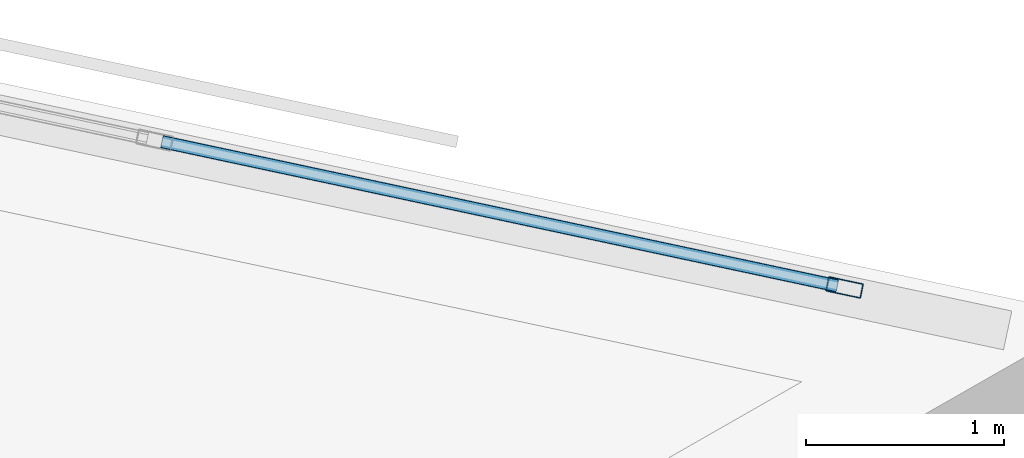
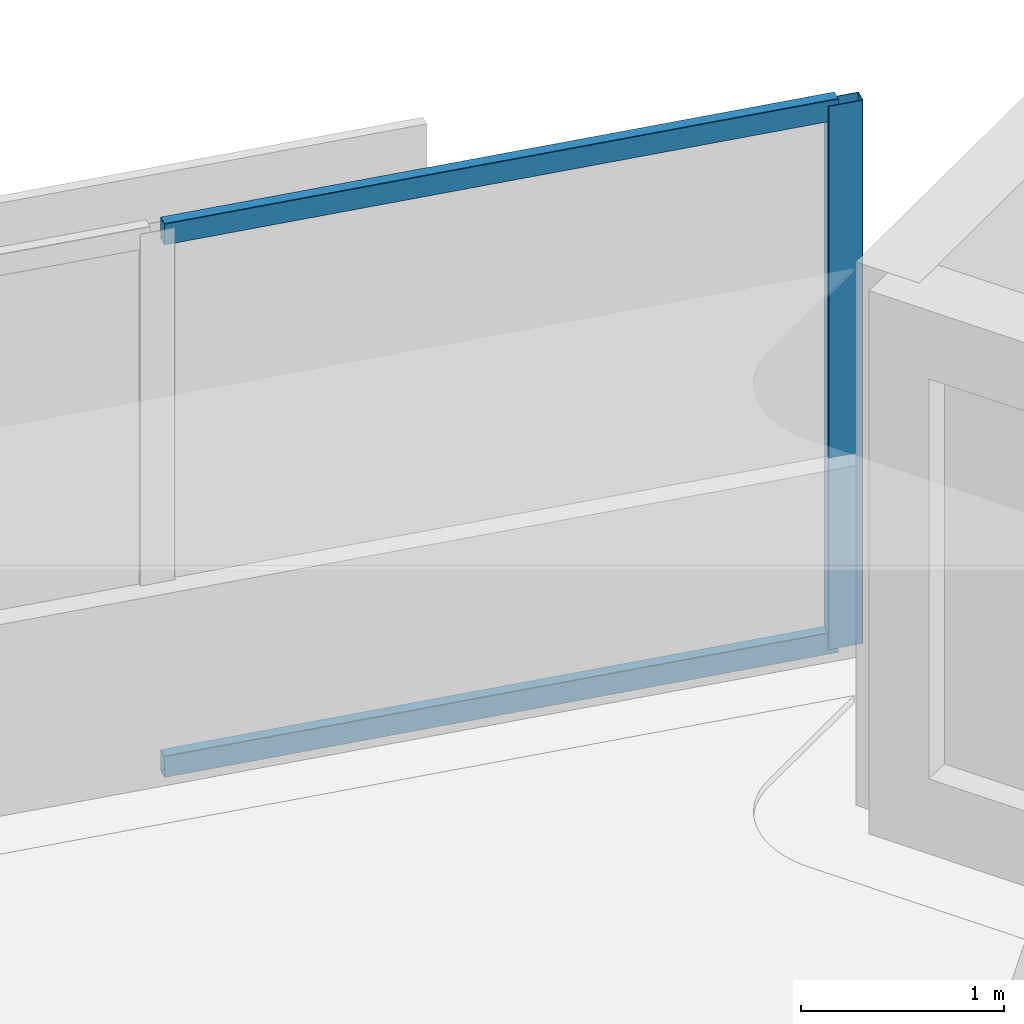
# One storey, part 6 of 14: 3 members, 1 element without a shape of its own.
"""IFC4 building model written with IfcOpenShell, lengths in metres."""

from ifc_helpers import new_model, si_unit, direction, frame, origin, origin_2d, place, context, subcontext, project, spatial, hollow_rectangle, extrude, material, material_profile, profile_set, type_object, element, aggregate, save


model = new_model("IFC4")

# Units and contexts
model_context = context("Model", 3, precision=1e-05, world=origin(), true_north=direction((0.0, 1.0)))
body_context = subcontext(model_context, "Body", "Model", "MODEL_VIEW")
ifc_project = project(units=[si_unit("LENGTHUNIT", "METRE"), si_unit("AREAUNIT", "SQUARE_METRE"), si_unit("VOLUMEUNIT", "CUBIC_METRE"), si_unit("PLANEANGLEUNIT", "RADIAN"), si_unit("MASSUNIT", "GRAM", prefix="KILO")], contexts=[model_context])

# Site, building, storey
site_placement = place(None, origin())
site = spatial("IfcSite", under=ifc_project, at=site_placement, CompositionType="ELEMENT")
building_placement = place(site_placement, origin())
building = spatial("IfcBuilding", under=site, at=building_placement, Name="Narakoshi Arena Tower", CompositionType="ELEMENT")
storey_placement = place(building_placement, frame((0.0, 0.0, 204.419921875)))
storey = spatial("IfcBuildingStorey", under=building, at=storey_placement, Name="L55", CompositionType="ELEMENT", Elevation=204.419921875)

# Curtain wall, members
ifc_material = material(Name="Anodised bronze aluminium 6063-T6", Category="aluminium")
curtain_wall_type = type_object("IfcCurtainWallType", Name="CW-HYP-MID", PredefinedType="NOTDEFINED", material=ifc_material)
curtain_wall_placement = place(storey_placement, origin())
curtain_wall = element("IfcCurtainWall", 1, at=curtain_wall_placement, inside=storey, type_object=curtain_wall_type, Name="L55 Folded Hypotenuse Curtain Wall 1-1", PredefinedType="NOTDEFINED")
ifc_material_profile_1 = material_profile(ifc_material, hollow_rectangle(XDim=0.074951171875, YDim=0.179931640625, WallThickness=0.00390625, OuterFilletRadius=0.0048828125, at=origin_2d()), Name="MUL180x75x4")
ifc_profile_set_1 = profile_set([ifc_material_profile_1], Name="Anodised bronze aluminium 6063-T6")
member_type_1 = type_object("IfcMemberType", Name="MEM-MUL-180", PredefinedType="MULLION", material=ifc_profile_set_1)
member_1_placement = place(storey_placement, frame((115.57373046875, 56.938232421875, 0.0), z_axis=(0.0, 0.0, 1.0), x_axis=(-0.208899163248, -0.977937185914, 0.0)))
member_1 = element("IfcMember", 2, at=member_1_placement, type_object=member_type_1, Name="CW-02 mullion 1", PredefinedType="MULLION", context=body_context, shape_type="SweptSolid", body=[
    extrude(hollow_rectangle(XDim=0.074951171875, YDim=0.179931640625, WallThickness=0.00390625, OuterFilletRadius=0.0048828125, at=origin_2d()), origin(), (0.0, 0.0, 1.0), 3.260009765625),
])
ifc_material_profile_2 = material_profile(ifc_material, hollow_rectangle(XDim=0.06494140625, YDim=0.1298828125, WallThickness=0.00390625, OuterFilletRadius=0.0048828125, at=origin_2d()), Name="TRN130x65x4")
ifc_profile_set_2 = profile_set([ifc_material_profile_2], Name="Anodised bronze aluminium 6063-T6")
member_type_2 = type_object("IfcMemberType", Name="MEM-TRN-130", PredefinedType="USERDEFINED", material=ifc_profile_set_2)
member_2_placement = place(storey_placement, frame((115.537109375, 56.946044921875, 0.032470703125), z_axis=(-0.977942813259, 0.20887281775, 0.0), x_axis=(-0.20887281775, -0.977942813259, 0.0)))
member_2 = element("IfcMember", 3, at=member_2_placement, type_object=member_type_2, Name="CW-02 transom 1.1", ObjectType="TRANSOM", PredefinedType="USERDEFINED", context=body_context, shape_type="SweptSolid", body=[
    extrude(hollow_rectangle(XDim=0.06494140625, YDim=0.1298828125, WallThickness=0.00390625, OuterFilletRadius=0.0048828125, at=origin_2d()), origin(), (0.0, 0.0, 1.0), 3.480712890625),
])
member_3_placement = place(storey_placement, frame((115.537109375, 56.946044921875, 3.2275390625), z_axis=(-0.977942813259, 0.20887281775, 0.0), x_axis=(-0.20887281775, -0.977942813259, 0.0)))
member_3 = element("IfcMember", 4, at=member_3_placement, type_object=member_type_2, Name="CW-02 transom 1.2", ObjectType="TRANSOM", PredefinedType="USERDEFINED", context=body_context, shape_type="SweptSolid", body=[
    extrude(hollow_rectangle(XDim=0.06494140625, YDim=0.1298828125, WallThickness=0.00390625, OuterFilletRadius=0.0048828125, at=origin_2d()), origin(), (0.0, 0.0, 1.0), 3.480712890625),
])
aggregate(curtain_wall, [member_1, member_2, member_3])

save(model, "model.ifc")
